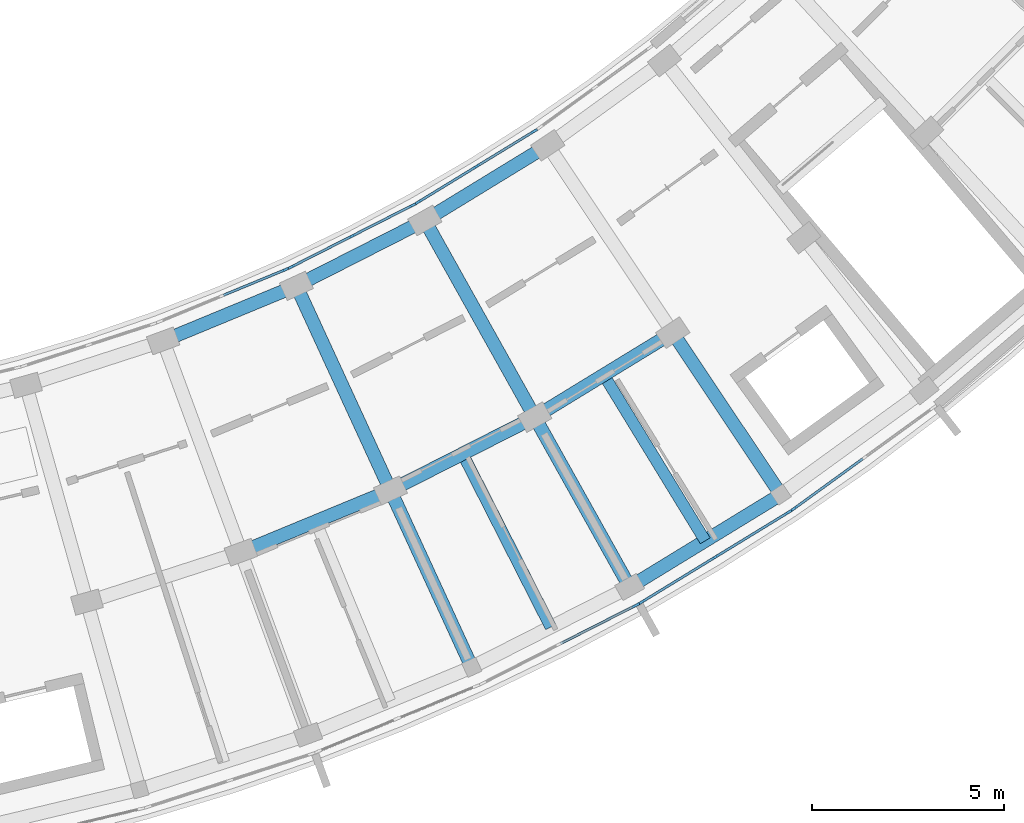
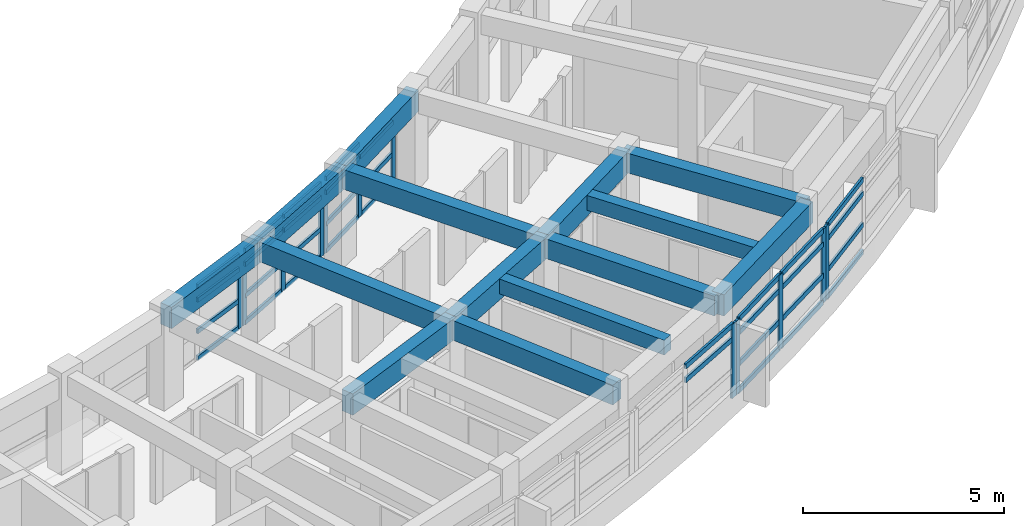
# One storey, part 18 of 54: 45 members, 14 beams, 6 elements without a shape of their own.
"""IFC4 building model written with IfcOpenShell, lengths in metres."""

from ifc_helpers import new_model, si_unit, direction, frame, origin, origin_2d, place, context, subcontext, project, spatial, rectangle, extrude, material, material_profile, profile_set, type_object, element, aggregate, save


model = new_model("IFC4")

# Units and contexts
model_context = context("Model", 3, precision=1e-05, world=origin(), true_north=direction((0.0, 1.0)))
body_context = subcontext(model_context, "Body", "Model", "MODEL_VIEW")
ifc_project = project(units=[si_unit("LENGTHUNIT", "METRE"), si_unit("AREAUNIT", "SQUARE_METRE"), si_unit("VOLUMEUNIT", "CUBIC_METRE"), si_unit("PLANEANGLEUNIT", "RADIAN"), si_unit("MASSUNIT", "GRAM", prefix="KILO")], contexts=[model_context])

# Site, building, storey
site_placement = place(None, origin())
site = spatial("IfcSite", under=ifc_project, at=site_placement, CompositionType="ELEMENT")
building_placement = place(site_placement, origin())
building = spatial("IfcBuilding", under=site, at=building_placement, Name="Zimvara Arc Housing Community", CompositionType="ELEMENT")
storey_placement = place(building_placement, frame((0.0, 0.0, 23.60009765625)))
storey = spatial("IfcBuildingStorey", under=building, at=storey_placement, Name="L07", CompositionType="ELEMENT", Elevation=23.60009765625)

# Beams
ifc_material_1 = material(Name="Concrete C40/50", Category="concrete")
ifc_material_profile_1 = material_profile(ifc_material_1, rectangle(XDim=0.300048828125, YDim=0.449951171875, at=origin_2d()), Name="RC 300x450")
ifc_profile_set_1 = profile_set([ifc_material_profile_1], Name="Concrete C40/50")
beam_type_1 = type_object("IfcBeamType", Name="BM-RC-300x450", PredefinedType="JOIST", material=ifc_profile_set_1)
for number, where, z_axis, x_axis, name in (
    (1, (150.343994140625, 61.939453125, 2.69482421875), (0.453225300679, -0.891395998883, 0.0), (0.891395998883, 0.453225300679, 0.0), "bm:blkD:L07:joist:b5"),
    (2, (154.02880859375, 63.998779296875, 2.69482421875), (0.521755418526, -0.85309511969, 0.0), (0.85309511969, 0.521755418526, 0.0), "bm:blkD:L07:joist:b6"),
):
    element("IfcBeam", number, at=place(storey_placement, frame(where, z_axis=z_axis, x_axis=x_axis)), inside=storey, type_object=beam_type_1, Name=name, PredefinedType="JOIST", context=body_context, shape_type="SweptSolid", body=[
        extrude(rectangle(XDim=0.300048828125, YDim=0.449951171875, at=origin_2d()), origin(), (0.0, 0.0, 1.0), 5.075927734375),
    ])
ifc_material_2 = material(Name="Concrete C40/50", Category="concrete")
ifc_material_profile_2 = material_profile(ifc_material_2, rectangle(XDim=0.35009765625, YDim=0.60009765625, at=origin_2d()), Name="RC 350x600")
ifc_profile_set_2 = profile_set([ifc_material_profile_2], Name="Concrete C40/50")
beam_type_2 = type_object("IfcBeamType", Name="BM-RC-350x600", PredefinedType="BEAM", material=ifc_profile_set_2)
beam_1_placement = place(storey_placement, frame((146.004150390625, 66.32421875, 2.619873046875), z_axis=(0.417862428621, -0.908510314056, 0.0), x_axis=(0.908510314056, 0.417862428621, 0.0)))
element("IfcBeam", 3, at=beam_1_placement, inside=storey, type_object=beam_type_2, Name="bm:blkD:L07:rad:b5:r12", PredefinedType="BEAM", context=body_context, shape_type="SweptSolid", body=[
    extrude(rectangle(XDim=0.35009765625, YDim=0.60009765625, at=origin_2d()), origin(), (0.0, 0.0, 1.0), 5.8798828125),
])
beam_2_placement = place(storey_placement, frame((148.461181640625, 60.982177734375, 2.619873046875), z_axis=(0.417872288794, -0.90850577888, 0.0), x_axis=(0.90850577888, 0.417872288794, 0.0)))
element("IfcBeam", 4, at=beam_2_placement, inside=storey, type_object=beam_type_2, Name="bm:blkD:L07:rad:b5:r23", PredefinedType="BEAM", context=body_context, shape_type="SweptSolid", body=[
    extrude(rectangle(XDim=0.35009765625, YDim=0.60009765625, at=origin_2d()), origin(), (0.0, 0.0, 1.0), 5.080078125),
])
beam_3_placement = place(storey_placement, frame((149.358154296875, 68.029541015625, 2.619873046875), z_axis=(0.487862302556, -0.872920599909, 0.0), x_axis=(0.872920599909, 0.487862302556, 0.0)))
element("IfcBeam", 5, at=beam_3_placement, inside=storey, type_object=beam_type_2, Name="bm:blkD:L07:rad:b6:r12", PredefinedType="BEAM", context=body_context, shape_type="SweptSolid", body=[
    extrude(rectangle(XDim=0.35009765625, YDim=0.60009765625, at=origin_2d()), origin(), (0.0, 0.0, 1.0), 5.880126953125),
])
beam_4_placement = place(storey_placement, frame((152.226806640625, 62.896728515625, 2.619873046875), z_axis=(0.48786121213, -0.872921209331, 0.0), x_axis=(0.872921209331, 0.48786121213, 0.0)))
element("IfcBeam", 6, at=beam_4_placement, inside=storey, type_object=beam_type_2, Name="bm:blkD:L07:rad:b6:r23", PredefinedType="BEAM", context=body_context, shape_type="SweptSolid", body=[
    extrude(rectangle(XDim=0.35009765625, YDim=0.60009765625, at=origin_2d()), origin(), (0.0, 0.0, 1.0), 5.079833984375),
])
beam_5_placement = place(storey_placement, frame((155.83056640625, 65.100830078125, 2.619873046875), z_axis=(0.554844365732, -0.83195416329, 0.0), x_axis=(0.83195416329, 0.554844365732, 0.0)))
element("IfcBeam", 7, at=beam_5_placement, inside=storey, type_object=beam_type_2, Name="bm:blkD:L07:rad:b7:r23", PredefinedType="BEAM", context=body_context, shape_type="SweptSolid", body=[
    extrude(rectangle(XDim=0.35009765625, YDim=0.60009765625, at=origin_2d()), origin(), (0.0, 0.0, 1.0), 5.080078125),
])
ifc_material_3 = material(Name="Concrete C40/50", Category="concrete")
ifc_material_profile_3 = material_profile(ifc_material_3, rectangle(XDim=0.35009765625, YDim=0.64990234375, at=origin_2d()), Name="RC 350x650")
ifc_profile_set_3 = profile_set([ifc_material_profile_3], Name="Concrete C40/50")
beam_type_3 = type_object("IfcBeamType", Name="BM-RC-350x650", PredefinedType="BEAM", material=ifc_profile_set_3)
for number, where, z_axis, x_axis, name in (
    (8, (142.526611328125, 64.887451171875, 2.594970703125), (0.924224591922, 0.381849320658, 0.0), (-0.381849320658, 0.924224591922, 0.0), "bm:blkD:L07:chord:r1:b4"),
    (9, (146.004150390625, 66.32421875, 2.594970703125), (0.891396237924, 0.453224830536, 0.0), (-0.453224830536, 0.891396237924, 0.0), "bm:blkD:L07:chord:r1:b5"),
    (10, (149.358154296875, 68.029541015625, 2.594970703125), (0.853105356478, 0.521738680517, 0.0), (-0.521738680517, 0.853105356478, 0.0), "bm:blkD:L07:chord:r1:b6"),
):
    element("IfcBeam", number, at=place(storey_placement, frame(where, z_axis=z_axis, x_axis=x_axis)), inside=storey, type_object=beam_type_3, Name=name, PredefinedType="BEAM", context=body_context, shape_type="SweptSolid", body=[
        extrude(rectangle(XDim=0.35009765625, YDim=0.64990234375, at=origin_2d()), origin(), (0.0, 0.0, 1.0), 3.7626953125),
    ])
beam_6_placement = place(storey_placement, frame((144.55712890625, 59.369140625, 2.594970703125), z_axis=(0.924220191381, 0.381859971512, 0.0), x_axis=(-0.381859971512, 0.924220191381, 0.0)))
element("IfcBeam", 11, at=beam_6_placement, inside=storey, type_object=beam_type_3, Name="bm:blkD:L07:chord:r2:b4", PredefinedType="BEAM", context=body_context, shape_type="SweptSolid", body=[
    extrude(rectangle(XDim=0.35009765625, YDim=0.64990234375, at=origin_2d()), origin(), (0.0, 0.0, 1.0), 4.22412109375),
])
for number, where, z_axis, x_axis, name in (
    (12, (148.461181640625, 60.982177734375, 2.594970703125), (0.891401751243, 0.453213986855, 0.0), (-0.453213986855, 0.891401751243, 0.0), "bm:blkD:L07:chord:r2:b5"),
    (13, (152.226806640625, 62.896728515625, 2.594970703125), (0.853091772331, 0.521760891579, 0.0), (-0.521760891579, 0.853091772331, 0.0), "bm:blkD:L07:chord:r2:b6"),
):
    element("IfcBeam", number, at=place(storey_placement, frame(where, z_axis=z_axis, x_axis=x_axis)), inside=storey, type_object=beam_type_3, Name=name, PredefinedType="BEAM", context=body_context, shape_type="SweptSolid", body=[
        extrude(rectangle(XDim=0.35009765625, YDim=0.64990234375, at=origin_2d()), origin(), (0.0, 0.0, 1.0), 4.224365234375),
    ])
beam_7_placement = place(storey_placement, frame((154.705078125, 58.46240234375, 2.594970703125), z_axis=(0.853105562062, 0.521738344363, 0.0), x_axis=(-0.521738344363, 0.853105562062, 0.0)))
element("IfcBeam", 14, at=beam_7_placement, inside=storey, type_object=beam_type_3, Name="bm:blkD:L07:chord:r3:b6", PredefinedType="BEAM", context=body_context, shape_type="SweptSolid", body=[
    extrude(rectangle(XDim=0.35009765625, YDim=0.64990234375, at=origin_2d()), origin(), (0.0, 0.0, 1.0), 4.623291015625),
])

# Curtain wall, member
ifc_material_4 = material(Name="Anodised Aluminium AW-6063", Category="aluminium")
curtain_wall_type_1 = type_object("IfcCurtainWallType", Name="CW-SYS-06", PredefinedType="USERDEFINED", material=ifc_material_4)
curtain_wall_1_placement = place(storey_placement, origin())
curtain_wall_1 = element("IfcCurtainWall", 15, at=curtain_wall_1_placement, inside=storey, type_object=curtain_wall_type_1, Name="cw:blkD:L07:in:b4", ObjectType="CURTAIN WALL", PredefinedType="USERDEFINED")
ifc_material_5 = material(Name="Anodised Aluminium AW-6063", Category="aluminium")
ifc_material_profile_4 = material_profile(ifc_material_5, rectangle(XDim=0.06494140625, YDim=0.179931640625, at=origin_2d()), Name="ALU 65x180")
ifc_profile_set_4 = profile_set([ifc_material_profile_4], Name="Anodised Aluminium AW-6063")
member_type_1 = type_object("IfcMemberType", Name="CWM-65x150", PredefinedType="MULLION", material=ifc_profile_set_4)
member_1_placement = place(storey_placement, frame((145.709716796875, 66.7431640625, 0.0), z_axis=(0.0, 0.0, 1.0), x_axis=(-0.381878016422, 0.924212735561, 0.0)))
member_1 = element("IfcMember", 16, at=member_1_placement, type_object=member_type_1, Name="CW06 mullion 3", PredefinedType="MULLION", context=body_context, shape_type="SweptSolid", body=[
    extrude(rectangle(XDim=0.06494140625, YDim=0.179931640625, at=origin_2d()), origin(), (0.0, 0.0, 1.0), 2.25),
])

# Curtain wall, members
ifc_material_6 = material(Name="Anodised Aluminium AW-6063", Category="aluminium")
curtain_wall_type_2 = type_object("IfcCurtainWallType", Name="CW-SYS-08", PredefinedType="USERDEFINED", material=ifc_material_6)
curtain_wall_2_placement = place(storey_placement, origin())
curtain_wall_2 = element("IfcCurtainWall", 17, at=curtain_wall_2_placement, inside=storey, type_object=curtain_wall_type_2, Name="cw:blkD:L07:in:b5", ObjectType="CURTAIN WALL", PredefinedType="USERDEFINED")
member_2_placement = place(storey_placement, frame((145.877685546875, 66.820556640625, 0.0), z_axis=(0.0, 0.0, 1.0), x_axis=(-0.453213376091, 0.891402061772, 0.0)))
member_2 = element("IfcMember", 18, at=member_2_placement, type_object=member_type_1, Name="CW08 mullion 1", PredefinedType="MULLION", context=body_context, shape_type="SweptSolid", body=[
    extrude(rectangle(XDim=0.06494140625, YDim=0.179931640625, at=origin_2d()), origin(), (0.0, 0.0, 1.0), 2.25),
])
member_3_placement = place(storey_placement, frame((147.454833984375, 67.622314453125, 0.0), z_axis=(0.0, 0.0, 1.0), x_axis=(-0.453213376091, 0.891402061772, 0.0)))
member_3 = element("IfcMember", 19, at=member_3_placement, type_object=member_type_1, Name="CW08 mullion 2", PredefinedType="MULLION", context=body_context, shape_type="SweptSolid", body=[
    extrude(rectangle(XDim=0.06494140625, YDim=0.179931640625, at=origin_2d()), origin(), (0.0, 0.0, 1.0), 2.25),
])
member_4_placement = place(storey_placement, frame((149.03173828125, 68.424072265625, 0.0), z_axis=(0.0, 0.0, 1.0), x_axis=(-0.453213376091, 0.891402061772, 0.0)))
member_4 = element("IfcMember", 20, at=member_4_placement, type_object=member_type_1, Name="CW08 mullion 3", PredefinedType="MULLION", context=body_context, shape_type="SweptSolid", body=[
    extrude(rectangle(XDim=0.06494140625, YDim=0.179931640625, at=origin_2d()), origin(), (0.0, 0.0, 1.0), 2.25),
])

ifc_material_7 = material(Name="Anodised Aluminium AW-6063", Category="aluminium")
curtain_wall_type_3 = type_object("IfcCurtainWallType", Name="CW-SYS-02", PredefinedType="USERDEFINED", material=ifc_material_7)
curtain_wall_3_placement = place(storey_placement, origin())
curtain_wall_3 = element("IfcCurtainWall", 21, at=curtain_wall_3_placement, inside=storey, type_object=curtain_wall_type_3, Name="cw:blkD:L07:in:b6", ObjectType="CURTAIN WALL", PredefinedType="USERDEFINED")
member_5_placement = place(storey_placement, frame((149.193115234375, 68.514404296875, 0.0), z_axis=(0.0, 0.0, 1.0), x_axis=(-0.521753846352, 0.853096081234, 0.0)))
member_5 = element("IfcMember", 22, at=member_5_placement, type_object=member_type_1, Name="CW02 mullion 1", PredefinedType="MULLION", context=body_context, shape_type="SweptSolid", body=[
    extrude(rectangle(XDim=0.06494140625, YDim=0.179931640625, at=origin_2d()), origin(), (0.0, 0.0, 1.0), 2.25),
])
member_6_placement = place(storey_placement, frame((150.70263671875, 69.4375, 0.0), z_axis=(0.0, 0.0, 1.0), x_axis=(-0.521753846352, 0.853096081234, 0.0)))
member_6 = element("IfcMember", 23, at=member_6_placement, type_object=member_type_1, Name="CW02 mullion 2", PredefinedType="MULLION", context=body_context, shape_type="SweptSolid", body=[
    extrude(rectangle(XDim=0.06494140625, YDim=0.179931640625, at=origin_2d()), origin(), (0.0, 0.0, 1.0), 2.25),
])
member_7_placement = place(storey_placement, frame((152.2119140625, 70.3603515625, 0.0), z_axis=(0.0, 0.0, 1.0), x_axis=(-0.521753846352, 0.853096081234, 0.0)))
member_7 = element("IfcMember", 24, at=member_7_placement, type_object=member_type_1, Name="CW02 mullion 3", PredefinedType="MULLION", context=body_context, shape_type="SweptSolid", body=[
    extrude(rectangle(XDim=0.06494140625, YDim=0.179931640625, at=origin_2d()), origin(), (0.0, 0.0, 1.0), 2.25),
])

# Curtain wall, member
ifc_material_8 = material(Name="Anodised Aluminium AW-6063", Category="aluminium")
curtain_wall_type_4 = type_object("IfcCurtainWallType", Name="CW-SYS-07", PredefinedType="USERDEFINED", material=ifc_material_8)
curtain_wall_4_placement = place(storey_placement, origin())
curtain_wall_4 = element("IfcCurtainWall", 25, at=curtain_wall_4_placement, inside=storey, type_object=curtain_wall_type_4, Name="cw:blkD:L07:out:b5", ObjectType="CURTAIN WALL", PredefinedType="USERDEFINED")
ifc_material_9 = material(Name="Anodised Aluminium AW-6063", Category="aluminium")
ifc_material_profile_5 = material_profile(ifc_material_9, rectangle(XDim=0.06494140625, YDim=0.195068359375, at=origin_2d()), Name="ALU 65x195")
ifc_profile_set_5 = profile_set([ifc_material_profile_5], Name="Anodised Aluminium AW-6063")
member_type_2 = type_object("IfcMemberType", Name="CWM-65x180", PredefinedType="MULLION", material=ifc_profile_set_5)
member_8_placement = place(storey_placement, frame((154.86669921875, 57.98388671875, 0.0), z_axis=(0.0, 0.0, 1.0), x_axis=(-0.453211662605, 0.891402932954, 0.0)))
member_8 = element("IfcMember", 26, at=member_8_placement, type_object=member_type_2, Name="CW07 mullion 3", PredefinedType="MULLION", context=body_context, shape_type="SweptSolid", body=[
    extrude(rectangle(XDim=0.06494140625, YDim=0.195068359375, at=origin_2d()), origin(), (0.0, 0.0, 1.0), 2.25),
])

# Curtain wall, members
ifc_material_10 = material(Name="Anodised Aluminium AW-6063", Category="aluminium")
curtain_wall_type_5 = type_object("IfcCurtainWallType", Name="CW-SYS-01", PredefinedType="USERDEFINED", material=ifc_material_10)
curtain_wall_5_placement = place(storey_placement, origin())
curtain_wall_5 = element("IfcCurtainWall", 27, at=curtain_wall_5_placement, inside=storey, type_object=curtain_wall_type_5, Name="cw:blkD:L07:out:b6", ObjectType="CURTAIN WALL", PredefinedType="USERDEFINED")
member_9_placement = place(storey_placement, frame((155.028076171875, 58.07421875, 0.0), z_axis=(0.0, 0.0, 1.0), x_axis=(-0.521754248513, 0.853095835272, 0.0)))
member_9 = element("IfcMember", 28, at=member_9_placement, type_object=member_type_2, Name="CW01 mullion 1", PredefinedType="MULLION", context=body_context, shape_type="SweptSolid", body=[
    extrude(rectangle(XDim=0.06494140625, YDim=0.195068359375, at=origin_2d()), origin(), (0.0, 0.0, 1.0), 2.25),
])
member_10_placement = place(storey_placement, frame((156.93798828125, 59.2421875, 0.0), z_axis=(0.0, 0.0, 1.0), x_axis=(-0.521754248513, 0.853095835272, 0.0)))
member_10 = element("IfcMember", 29, at=member_10_placement, type_object=member_type_2, Name="CW01 mullion 2", PredefinedType="MULLION", context=body_context, shape_type="SweptSolid", body=[
    extrude(rectangle(XDim=0.06494140625, YDim=0.195068359375, at=origin_2d()), origin(), (0.0, 0.0, 1.0), 2.25),
])
member_11_placement = place(storey_placement, frame((158.84765625, 60.410400390625, 0.0), z_axis=(0.0, 0.0, 1.0), x_axis=(-0.521754248513, 0.853095835272, 0.0)))
member_11 = element("IfcMember", 30, at=member_11_placement, type_object=member_type_2, Name="CW01 mullion 3", PredefinedType="MULLION", context=body_context, shape_type="SweptSolid", body=[
    extrude(rectangle(XDim=0.06494140625, YDim=0.195068359375, at=origin_2d()), origin(), (0.0, 0.0, 1.0), 2.25),
])

# Curtain wall, member
ifc_material_11 = material(Name="Anodised Aluminium AW-6063", Category="aluminium")
curtain_wall_type_6 = type_object("IfcCurtainWallType", Name="CW-SYS-03", PredefinedType="USERDEFINED", material=ifc_material_11)
curtain_wall_6_placement = place(storey_placement, origin())
curtain_wall_6 = element("IfcCurtainWall", 31, at=curtain_wall_6_placement, inside=storey, type_object=curtain_wall_type_6, Name="cw:blkD:L07:out:b7", ObjectType="CURTAIN WALL", PredefinedType="USERDEFINED")
member_12_placement = place(storey_placement, frame((159.00146484375, 60.512939453125, 0.0), z_axis=(0.0, 0.0, 1.0), x_axis=(-0.587077917196, 0.809530431263, 0.0)))
member_12 = element("IfcMember", 32, at=member_12_placement, type_object=member_type_2, Name="CW03 mullion 1", PredefinedType="MULLION", context=body_context, shape_type="SweptSolid", body=[
    extrude(rectangle(XDim=0.06494140625, YDim=0.195068359375, at=origin_2d()), origin(), (0.0, 0.0, 1.0), 2.25),
])

# Member
ifc_material_12 = material(Name="Anodised Aluminium AW-6063", Category="aluminium")
ifc_material_profile_6 = material_profile(ifc_material_12, rectangle(XDim=0.06494140625, YDim=0.139892578125, at=origin_2d()), Name="ALU 65x140")
ifc_profile_set_6 = profile_set([ifc_material_profile_6], Name="Anodised Aluminium AW-6063")
member_type_3 = type_object("IfcMemberType", Name="CWT-65x120", PredefinedType="USERDEFINED", material=ifc_profile_set_6)
member_13_placement = place(storey_placement, frame((144.104736328125, 66.080078125, 0.032470703125), z_axis=(0.9242383465, 0.381816027503, 0.0), x_axis=(-0.381816027503, 0.9242383465, 0.0)))
member_13 = element("IfcMember", 33, at=member_13_placement, type_object=member_type_3, Name="CW06 transom 2.1", ObjectType="TRANSOM", PredefinedType="USERDEFINED", context=body_context, shape_type="SweptSolid", body=[
    extrude(rectangle(XDim=0.06494140625, YDim=0.139892578125, at=origin_2d()), origin(), (0.0, 0.0, 1.0), 1.7041015625),
])

member_14_placement = place(storey_placement, frame((144.104736328125, 66.080078125, 0.849853515625), z_axis=(0.9242383465, 0.381816027503, 0.0), x_axis=(-0.381816027503, 0.9242383465, 0.0)))
member_14 = element("IfcMember", 34, at=member_14_placement, type_object=member_type_3, Name="CW06 transom 2.2", ObjectType="TRANSOM", PredefinedType="USERDEFINED", context=body_context, shape_type="SweptSolid", body=[
    extrude(rectangle(XDim=0.06494140625, YDim=0.139892578125, at=origin_2d()), origin(), (0.0, 0.0, 1.0), 1.7041015625),
])

member_15_placement = place(storey_placement, frame((144.104736328125, 66.080078125, 1.7998046875), z_axis=(0.9242383465, 0.381816027503, 0.0), x_axis=(-0.381816027503, 0.9242383465, 0.0)))
member_15 = element("IfcMember", 35, at=member_15_placement, type_object=member_type_3, Name="CW06 transom 2.3", ObjectType="TRANSOM", PredefinedType="USERDEFINED", context=body_context, shape_type="SweptSolid", body=[
    extrude(rectangle(XDim=0.06494140625, YDim=0.139892578125, at=origin_2d()), origin(), (0.0, 0.0, 1.0), 1.7041015625),
])

member_16_placement = place(storey_placement, frame((144.104736328125, 66.080078125, 2.21728515625), z_axis=(0.9242383465, 0.381816027503, 0.0), x_axis=(-0.381816027503, 0.9242383465, 0.0)))
member_16 = element("IfcMember", 36, at=member_16_placement, type_object=member_type_3, Name="CW06 transom 2.4", ObjectType="TRANSOM", PredefinedType="USERDEFINED", context=body_context, shape_type="SweptSolid", body=[
    extrude(rectangle(XDim=0.06494140625, YDim=0.139892578125, at=origin_2d()), origin(), (0.0, 0.0, 1.0), 1.7041015625),
])

aggregate(curtain_wall_1, [member_1, member_13, member_14, member_15, member_16])

member_17_placement = place(storey_placement, frame((145.90673828125, 66.835205078125, 0.032470703125), z_axis=(0.891369433429, 0.453277545383, 0.0), x_axis=(-0.453277545383, 0.891369433429, 0.0)))
member_17 = element("IfcMember", 37, at=member_17_placement, type_object=member_type_3, Name="CW08 transom 1.1", ObjectType="TRANSOM", PredefinedType="USERDEFINED", context=body_context, shape_type="SweptSolid", body=[
    extrude(rectangle(XDim=0.06494140625, YDim=0.139892578125, at=origin_2d()), origin(), (0.0, 0.0, 1.0), 1.7041015625),
])

member_18_placement = place(storey_placement, frame((145.90673828125, 66.835205078125, 0.849853515625), z_axis=(0.891369433429, 0.453277545383, 0.0), x_axis=(-0.453277545383, 0.891369433429, 0.0)))
member_18 = element("IfcMember", 38, at=member_18_placement, type_object=member_type_3, Name="CW08 transom 1.2", ObjectType="TRANSOM", PredefinedType="USERDEFINED", context=body_context, shape_type="SweptSolid", body=[
    extrude(rectangle(XDim=0.06494140625, YDim=0.139892578125, at=origin_2d()), origin(), (0.0, 0.0, 1.0), 1.7041015625),
])

member_19_placement = place(storey_placement, frame((145.90673828125, 66.835205078125, 1.7998046875), z_axis=(0.891369433429, 0.453277545383, 0.0), x_axis=(-0.453277545383, 0.891369433429, 0.0)))
member_19 = element("IfcMember", 39, at=member_19_placement, type_object=member_type_3, Name="CW08 transom 1.3", ObjectType="TRANSOM", PredefinedType="USERDEFINED", context=body_context, shape_type="SweptSolid", body=[
    extrude(rectangle(XDim=0.06494140625, YDim=0.139892578125, at=origin_2d()), origin(), (0.0, 0.0, 1.0), 1.7041015625),
])

member_20_placement = place(storey_placement, frame((145.90673828125, 66.835205078125, 2.21728515625), z_axis=(0.891369433429, 0.453277545383, 0.0), x_axis=(-0.453277545383, 0.891369433429, 0.0)))
member_20 = element("IfcMember", 40, at=member_20_placement, type_object=member_type_3, Name="CW08 transom 1.4", ObjectType="TRANSOM", PredefinedType="USERDEFINED", context=body_context, shape_type="SweptSolid", body=[
    extrude(rectangle(XDim=0.06494140625, YDim=0.139892578125, at=origin_2d()), origin(), (0.0, 0.0, 1.0), 1.7041015625),
])

member_21_placement = place(storey_placement, frame((147.483642578125, 67.636962890625, 0.032470703125), z_axis=(0.891398862257, 0.453219668999, 0.0), x_axis=(-0.453219668999, 0.891398862257, 0.0)))
member_21 = element("IfcMember", 41, at=member_21_placement, type_object=member_type_3, Name="CW08 transom 2.1", ObjectType="TRANSOM", PredefinedType="USERDEFINED", context=body_context, shape_type="SweptSolid", body=[
    extrude(rectangle(XDim=0.06494140625, YDim=0.139892578125, at=origin_2d()), origin(), (0.0, 0.0, 1.0), 1.704345703125),
])

member_22_placement = place(storey_placement, frame((147.483642578125, 67.636962890625, 0.849853515625), z_axis=(0.891398862257, 0.453219668999, 0.0), x_axis=(-0.453219668999, 0.891398862257, 0.0)))
member_22 = element("IfcMember", 42, at=member_22_placement, type_object=member_type_3, Name="CW08 transom 2.2", ObjectType="TRANSOM", PredefinedType="USERDEFINED", context=body_context, shape_type="SweptSolid", body=[
    extrude(rectangle(XDim=0.06494140625, YDim=0.139892578125, at=origin_2d()), origin(), (0.0, 0.0, 1.0), 1.704345703125),
])

member_23_placement = place(storey_placement, frame((147.483642578125, 67.636962890625, 1.7998046875), z_axis=(0.891398862257, 0.453219668999, 0.0), x_axis=(-0.453219668999, 0.891398862257, 0.0)))
member_23 = element("IfcMember", 43, at=member_23_placement, type_object=member_type_3, Name="CW08 transom 2.3", ObjectType="TRANSOM", PredefinedType="USERDEFINED", context=body_context, shape_type="SweptSolid", body=[
    extrude(rectangle(XDim=0.06494140625, YDim=0.139892578125, at=origin_2d()), origin(), (0.0, 0.0, 1.0), 1.704345703125),
])

member_24_placement = place(storey_placement, frame((147.483642578125, 67.636962890625, 2.21728515625), z_axis=(0.891398862257, 0.453219668999, 0.0), x_axis=(-0.453219668999, 0.891398862257, 0.0)))
member_24 = element("IfcMember", 44, at=member_24_placement, type_object=member_type_3, Name="CW08 transom 2.4", ObjectType="TRANSOM", PredefinedType="USERDEFINED", context=body_context, shape_type="SweptSolid", body=[
    extrude(rectangle(XDim=0.06494140625, YDim=0.139892578125, at=origin_2d()), origin(), (0.0, 0.0, 1.0), 1.704345703125),
])

aggregate(curtain_wall_2, [member_2, member_3, member_4, member_17, member_18, member_19, member_20, member_21, member_22, member_23, member_24])

member_25_placement = place(storey_placement, frame((149.220947265625, 68.53125, 0.032470703125), z_axis=(0.85310118086, 0.521745508093, 0.0), x_axis=(-0.521745508093, 0.85310118086, 0.0)))
member_25 = element("IfcMember", 45, at=member_25_placement, type_object=member_type_3, Name="CW02 transom 1.1", ObjectType="TRANSOM", PredefinedType="USERDEFINED", context=body_context, shape_type="SweptSolid", body=[
    extrude(rectangle(XDim=0.06494140625, YDim=0.139892578125, at=origin_2d()), origin(), (0.0, 0.0, 1.0), 1.7041015625),
])

member_26_placement = place(storey_placement, frame((149.220947265625, 68.53125, 0.849853515625), z_axis=(0.85310118086, 0.521745508093, 0.0), x_axis=(-0.521745508093, 0.85310118086, 0.0)))
member_26 = element("IfcMember", 46, at=member_26_placement, type_object=member_type_3, Name="CW02 transom 1.2", ObjectType="TRANSOM", PredefinedType="USERDEFINED", context=body_context, shape_type="SweptSolid", body=[
    extrude(rectangle(XDim=0.06494140625, YDim=0.139892578125, at=origin_2d()), origin(), (0.0, 0.0, 1.0), 1.7041015625),
])

member_27_placement = place(storey_placement, frame((149.220947265625, 68.53125, 1.7998046875), z_axis=(0.85310118086, 0.521745508093, 0.0), x_axis=(-0.521745508093, 0.85310118086, 0.0)))
member_27 = element("IfcMember", 47, at=member_27_placement, type_object=member_type_3, Name="CW02 transom 1.3", ObjectType="TRANSOM", PredefinedType="USERDEFINED", context=body_context, shape_type="SweptSolid", body=[
    extrude(rectangle(XDim=0.06494140625, YDim=0.139892578125, at=origin_2d()), origin(), (0.0, 0.0, 1.0), 1.7041015625),
])

member_28_placement = place(storey_placement, frame((149.220947265625, 68.53125, 2.21728515625), z_axis=(0.85310118086, 0.521745508093, 0.0), x_axis=(-0.521745508093, 0.85310118086, 0.0)))
member_28 = element("IfcMember", 48, at=member_28_placement, type_object=member_type_3, Name="CW02 transom 1.4", ObjectType="TRANSOM", PredefinedType="USERDEFINED", context=body_context, shape_type="SweptSolid", body=[
    extrude(rectangle(XDim=0.06494140625, YDim=0.139892578125, at=origin_2d()), origin(), (0.0, 0.0, 1.0), 1.7041015625),
])

member_29_placement = place(storey_placement, frame((150.730224609375, 69.454345703125, 0.032470703125), z_axis=(0.85310118086, 0.521745508093, 0.0), x_axis=(-0.521745508093, 0.85310118086, 0.0)))
member_29 = element("IfcMember", 49, at=member_29_placement, type_object=member_type_3, Name="CW02 transom 2.1", ObjectType="TRANSOM", PredefinedType="USERDEFINED", context=body_context, shape_type="SweptSolid", body=[
    extrude(rectangle(XDim=0.06494140625, YDim=0.139892578125, at=origin_2d()), origin(), (0.0, 0.0, 1.0), 1.7041015625),
])

member_30_placement = place(storey_placement, frame((150.730224609375, 69.454345703125, 0.849853515625), z_axis=(0.85310118086, 0.521745508093, 0.0), x_axis=(-0.521745508093, 0.85310118086, 0.0)))
member_30 = element("IfcMember", 50, at=member_30_placement, type_object=member_type_3, Name="CW02 transom 2.2", ObjectType="TRANSOM", PredefinedType="USERDEFINED", context=body_context, shape_type="SweptSolid", body=[
    extrude(rectangle(XDim=0.06494140625, YDim=0.139892578125, at=origin_2d()), origin(), (0.0, 0.0, 1.0), 1.7041015625),
])

member_31_placement = place(storey_placement, frame((150.730224609375, 69.454345703125, 1.7998046875), z_axis=(0.85310118086, 0.521745508093, 0.0), x_axis=(-0.521745508093, 0.85310118086, 0.0)))
member_31 = element("IfcMember", 51, at=member_31_placement, type_object=member_type_3, Name="CW02 transom 2.3", ObjectType="TRANSOM", PredefinedType="USERDEFINED", context=body_context, shape_type="SweptSolid", body=[
    extrude(rectangle(XDim=0.06494140625, YDim=0.139892578125, at=origin_2d()), origin(), (0.0, 0.0, 1.0), 1.7041015625),
])

aggregate(curtain_wall_3, [member_5, member_6, member_7, member_25, member_26, member_27, member_28, member_29, member_30, member_31])

ifc_material_13 = material(Name="Anodised Aluminium AW-6063", Category="aluminium")
ifc_material_profile_7 = material_profile(ifc_material_13, rectangle(XDim=0.06494140625, YDim=0.155029296875, at=origin_2d()), Name="ALU 65x155")
ifc_profile_set_7 = profile_set([ifc_material_profile_7], Name="Anodised Aluminium AW-6063")
member_type_4 = type_object("IfcMemberType", Name="CWT-65x140", PredefinedType="USERDEFINED", material=ifc_profile_set_7)
member_32_placement = place(storey_placement, frame((152.89990234375, 56.984130859375, 1.7998046875), z_axis=(0.891419736395, 0.453178611107, 0.0), x_axis=(-0.453178611107, 0.891419736395, 0.0)))
member_32 = element("IfcMember", 52, at=member_32_placement, type_object=member_type_4, Name="CW07 transom 2.3", ObjectType="TRANSOM", PredefinedType="USERDEFINED", context=body_context, shape_type="SweptSolid", body=[
    extrude(rectangle(XDim=0.06494140625, YDim=0.155029296875, at=origin_2d()), origin(), (0.0, 0.0, 1.0), 2.173828125),
])

member_33_placement = place(storey_placement, frame((152.89990234375, 56.984130859375, 2.21728515625), z_axis=(0.891419736395, 0.453178611107, 0.0), x_axis=(-0.453178611107, 0.891419736395, 0.0)))
member_33 = element("IfcMember", 53, at=member_33_placement, type_object=member_type_4, Name="CW07 transom 2.4", ObjectType="TRANSOM", PredefinedType="USERDEFINED", context=body_context, shape_type="SweptSolid", body=[
    extrude(rectangle(XDim=0.06494140625, YDim=0.155029296875, at=origin_2d()), origin(), (0.0, 0.0, 1.0), 2.173828125),
])

aggregate(curtain_wall_4, [member_8, member_32, member_33])

member_34_placement = place(storey_placement, frame((155.0556640625, 58.091064453125, 0.032470703125), z_axis=(0.85308189023, 0.521777048711, 0.0), x_axis=(-0.521777048711, 0.85308189023, 0.0)))
member_34 = element("IfcMember", 54, at=member_34_placement, type_object=member_type_4, Name="CW01 transom 1.1", ObjectType="TRANSOM", PredefinedType="USERDEFINED", context=body_context, shape_type="SweptSolid", body=[
    extrude(rectangle(XDim=0.06494140625, YDim=0.155029296875, at=origin_2d()), origin(), (0.0, 0.0, 1.0), 2.173828125),
])

member_35_placement = place(storey_placement, frame((155.0556640625, 58.091064453125, 0.849853515625), z_axis=(0.85308189023, 0.521777048711, 0.0), x_axis=(-0.521777048711, 0.85308189023, 0.0)))
member_35 = element("IfcMember", 55, at=member_35_placement, type_object=member_type_4, Name="CW01 transom 1.2", ObjectType="TRANSOM", PredefinedType="USERDEFINED", context=body_context, shape_type="SweptSolid", body=[
    extrude(rectangle(XDim=0.06494140625, YDim=0.155029296875, at=origin_2d()), origin(), (0.0, 0.0, 1.0), 2.173828125),
])

member_36_placement = place(storey_placement, frame((155.0556640625, 58.091064453125, 1.7998046875), z_axis=(0.85308189023, 0.521777048711, 0.0), x_axis=(-0.521777048711, 0.85308189023, 0.0)))
member_36 = element("IfcMember", 56, at=member_36_placement, type_object=member_type_4, Name="CW01 transom 1.3", ObjectType="TRANSOM", PredefinedType="USERDEFINED", context=body_context, shape_type="SweptSolid", body=[
    extrude(rectangle(XDim=0.06494140625, YDim=0.155029296875, at=origin_2d()), origin(), (0.0, 0.0, 1.0), 2.173828125),
])

member_37_placement = place(storey_placement, frame((155.0556640625, 58.091064453125, 2.21728515625), z_axis=(0.85308189023, 0.521777048711, 0.0), x_axis=(-0.521777048711, 0.85308189023, 0.0)))
member_37 = element("IfcMember", 57, at=member_37_placement, type_object=member_type_4, Name="CW01 transom 1.4", ObjectType="TRANSOM", PredefinedType="USERDEFINED", context=body_context, shape_type="SweptSolid", body=[
    extrude(rectangle(XDim=0.06494140625, YDim=0.155029296875, at=origin_2d()), origin(), (0.0, 0.0, 1.0), 2.173828125),
])

member_38_placement = place(storey_placement, frame((156.965576171875, 59.25927734375, 0.032470703125), z_axis=(0.853131879051, 0.521695310452, 0.0), x_axis=(-0.521695310452, 0.853131879051, 0.0)))
member_38 = element("IfcMember", 58, at=member_38_placement, type_object=member_type_4, Name="CW01 transom 2.1", ObjectType="TRANSOM", PredefinedType="USERDEFINED", context=body_context, shape_type="SweptSolid", body=[
    extrude(rectangle(XDim=0.06494140625, YDim=0.155029296875, at=origin_2d()), origin(), (0.0, 0.0, 1.0), 2.173828125),
])

member_39_placement = place(storey_placement, frame((156.965576171875, 59.25927734375, 0.849853515625), z_axis=(0.853131879051, 0.521695310452, 0.0), x_axis=(-0.521695310452, 0.853131879051, 0.0)))
member_39 = element("IfcMember", 59, at=member_39_placement, type_object=member_type_4, Name="CW01 transom 2.2", ObjectType="TRANSOM", PredefinedType="USERDEFINED", context=body_context, shape_type="SweptSolid", body=[
    extrude(rectangle(XDim=0.06494140625, YDim=0.155029296875, at=origin_2d()), origin(), (0.0, 0.0, 1.0), 2.173828125),
])

member_40_placement = place(storey_placement, frame((156.965576171875, 59.25927734375, 1.7998046875), z_axis=(0.853131879051, 0.521695310452, 0.0), x_axis=(-0.521695310452, 0.853131879051, 0.0)))
member_40 = element("IfcMember", 60, at=member_40_placement, type_object=member_type_4, Name="CW01 transom 2.3", ObjectType="TRANSOM", PredefinedType="USERDEFINED", context=body_context, shape_type="SweptSolid", body=[
    extrude(rectangle(XDim=0.06494140625, YDim=0.155029296875, at=origin_2d()), origin(), (0.0, 0.0, 1.0), 2.173828125),
])

member_41_placement = place(storey_placement, frame((156.965576171875, 59.25927734375, 2.21728515625), z_axis=(0.853131879051, 0.521695310452, 0.0), x_axis=(-0.521695310452, 0.853131879051, 0.0)))
member_41 = element("IfcMember", 61, at=member_41_placement, type_object=member_type_4, Name="CW01 transom 2.4", ObjectType="TRANSOM", PredefinedType="USERDEFINED", context=body_context, shape_type="SweptSolid", body=[
    extrude(rectangle(XDim=0.06494140625, YDim=0.155029296875, at=origin_2d()), origin(), (0.0, 0.0, 1.0), 2.173828125),
])

aggregate(curtain_wall_5, [member_9, member_10, member_11, member_34, member_35, member_36, member_37, member_38, member_39, member_40, member_41])

member_42_placement = place(storey_placement, frame((159.02783203125, 60.531982421875, 0.032470703125), z_axis=(0.80954639163, 0.587055908581, 0.0), x_axis=(-0.587055908581, 0.80954639163, 0.0)))
member_42 = element("IfcMember", 62, at=member_42_placement, type_object=member_type_4, Name="CW03 transom 1.1", ObjectType="TRANSOM", PredefinedType="USERDEFINED", context=body_context, shape_type="SweptSolid", body=[
    extrude(rectangle(XDim=0.06494140625, YDim=0.155029296875, at=origin_2d()), origin(), (0.0, 0.0, 1.0), 2.173828125),
])

member_43_placement = place(storey_placement, frame((159.02783203125, 60.531982421875, 0.849853515625), z_axis=(0.80954639163, 0.587055908581, 0.0), x_axis=(-0.587055908581, 0.80954639163, 0.0)))
member_43 = element("IfcMember", 63, at=member_43_placement, type_object=member_type_4, Name="CW03 transom 1.2", ObjectType="TRANSOM", PredefinedType="USERDEFINED", context=body_context, shape_type="SweptSolid", body=[
    extrude(rectangle(XDim=0.06494140625, YDim=0.155029296875, at=origin_2d()), origin(), (0.0, 0.0, 1.0), 2.173828125),
])

member_44_placement = place(storey_placement, frame((159.02783203125, 60.531982421875, 1.7998046875), z_axis=(0.80954639163, 0.587055908581, 0.0), x_axis=(-0.587055908581, 0.80954639163, 0.0)))
member_44 = element("IfcMember", 64, at=member_44_placement, type_object=member_type_4, Name="CW03 transom 1.3", ObjectType="TRANSOM", PredefinedType="USERDEFINED", context=body_context, shape_type="SweptSolid", body=[
    extrude(rectangle(XDim=0.06494140625, YDim=0.155029296875, at=origin_2d()), origin(), (0.0, 0.0, 1.0), 2.173828125),
])

member_45_placement = place(storey_placement, frame((159.02783203125, 60.531982421875, 2.21728515625), z_axis=(0.80954639163, 0.587055908581, 0.0), x_axis=(-0.587055908581, 0.80954639163, 0.0)))
member_45 = element("IfcMember", 65, at=member_45_placement, type_object=member_type_4, Name="CW03 transom 1.4", ObjectType="TRANSOM", PredefinedType="USERDEFINED", context=body_context, shape_type="SweptSolid", body=[
    extrude(rectangle(XDim=0.06494140625, YDim=0.155029296875, at=origin_2d()), origin(), (0.0, 0.0, 1.0), 2.173828125),
])

aggregate(curtain_wall_6, [member_12, member_42, member_43, member_44, member_45])

save(model, "model.ifc")
